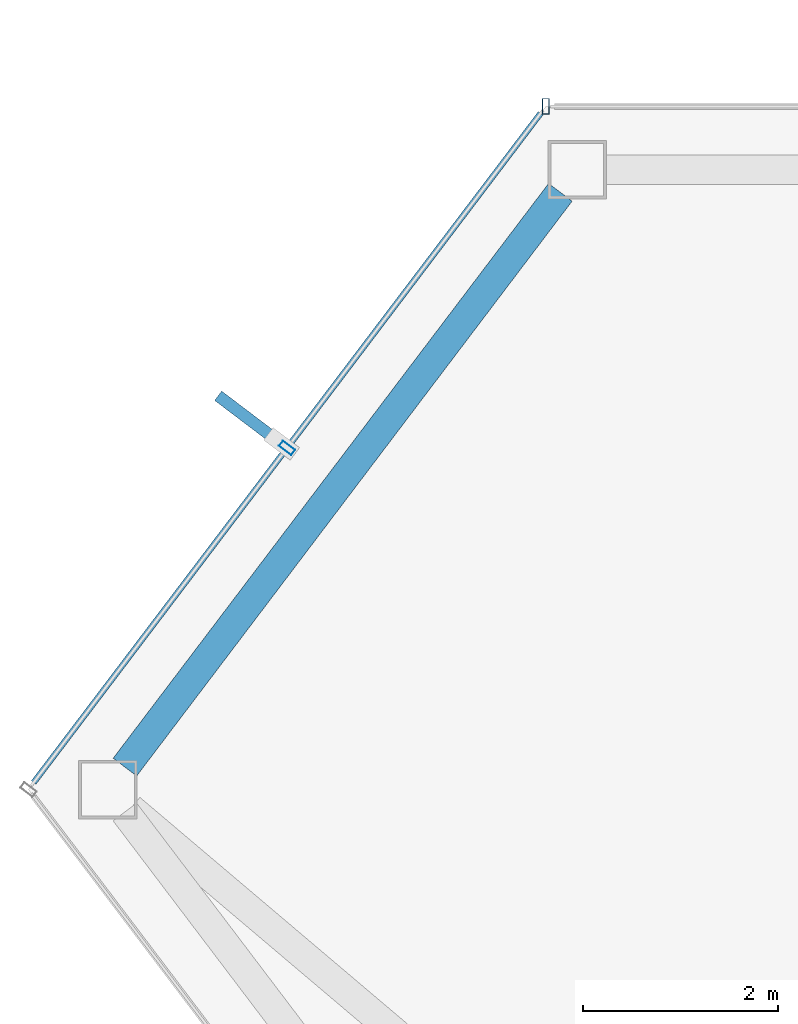
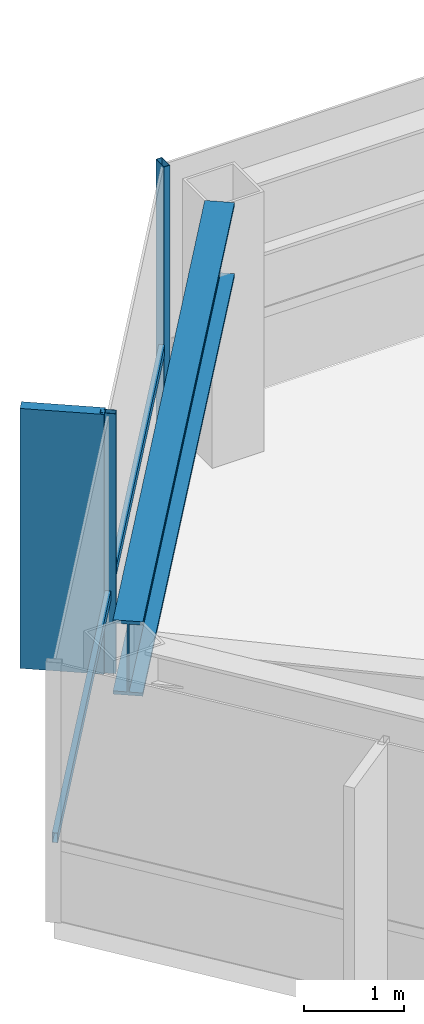
# One storey, part 12 of 27: 4 members, 1 beam, 2 elements without a shape of their own.
"""IFC4 building model written with IfcOpenShell, lengths in metres."""

from ifc_helpers import new_model, si_unit, direction, frame, origin, origin_2d, place, context, subcontext, project, spatial, rectangle, hollow_rectangle, i_section, extrude, material, layer, layer_set, material_profile, profile_set, type_object, element, aggregate, save


model = new_model("IFC4")

# Units and contexts
model_context = context("Model", 3, precision=1e-05, world=origin(), true_north=direction((0.0, 1.0)))
body_context = subcontext(model_context, "Body", "Model", "MODEL_VIEW")
ifc_project = project(units=[si_unit("LENGTHUNIT", "METRE"), si_unit("AREAUNIT", "SQUARE_METRE"), si_unit("VOLUMEUNIT", "CUBIC_METRE"), si_unit("PLANEANGLEUNIT", "RADIAN"), si_unit("MASSUNIT", "GRAM", prefix="KILO")], contexts=[model_context])

# Site, building, storey
site_placement = place(None, origin())
site = spatial("IfcSite", under=ifc_project, at=site_placement, CompositionType="ELEMENT")
building_placement = place(site_placement, origin())
building = spatial("IfcBuilding", under=site, at=building_placement, Name="Zarrinselat Tower", CompositionType="ELEMENT")
storey_placement = place(building_placement, frame((0.0, 0.0, 232.56005859375)))
storey = spatial("IfcBuildingStorey", under=building, at=storey_placement, Name="L58", CompositionType="ELEMENT", Elevation=232.56005859375)

# Beam
ifc_material_1 = material(Name="Steel S460M", Category="steel")
ifc_material_profile_1 = material_profile(ifc_material_1, i_section(OverallWidth=0.302001953125, OverallDepth=0.909912109375, WebThickness=0.02099609375, FlangeThickness=0.0400390625, at=origin_2d()), Name="HEM 900")
ifc_profile_set_1 = profile_set([ifc_material_profile_1], Name="Steel S460M")
beam_type = type_object("IfcBeamType", Name="BM-HEM900", PredefinedType="BEAM", material=ifc_profile_set_1)
beam_placement = place(storey_placement, frame((16.30078125, 41.4111328125, 2.724853515625), z_axis=(0.603848777662, 0.797098898328, 0.0), x_axis=(-0.797098898328, 0.603848777662, 0.0)))
element("IfcBeam", 1, at=beam_placement, inside=storey, type_object=beam_type, Name="L58 Perimeter Spandrel Girder SP05", PredefinedType="BEAM", context=body_context, shape_type="SweptSolid", body=[
    extrude(i_section(OverallWidth=0.302001953125, OverallDepth=0.909912109375, WebThickness=0.02099609375, FlangeThickness=0.0400390625, at=origin_2d()), origin(), (0.0, 0.0, 1.0), 7.385498046875),
])

# Curtain wall, member
ifc_material_2 = material(Name="Extruded Aluminium Alloy EN AW-6063 T6", Category="aluminium")
ifc_layer = layer(ifc_material_2, 0.169921875)
ifc_layer_set = layer_set([ifc_layer], Name="Extruded Aluminium Alloy EN AW-6063 T6")
curtain_wall_type = type_object("IfcCurtainWallType", Name="CWS-RES", PredefinedType="NOTDEFINED", material=ifc_layer_set)
curtain_wall_1_placement = place(storey_placement, origin())
curtain_wall_1 = element("IfcCurtainWall", 2, at=curtain_wall_1_placement, inside=storey, type_object=curtain_wall_type, Name="L58 Unitised Curtain Wall CW-L58-E01", PredefinedType="NOTDEFINED")
ifc_material_3 = material(Name="Extruded Aluminium Alloy EN AW-6063 T6", Category="aluminium")
ifc_material_profile_2 = material_profile(ifc_material_3, hollow_rectangle(XDim=0.070068359375, YDim=0.159912109375, WallThickness=0.00390625, at=origin_2d()), Name="RHS 160x70x4")
ifc_profile_set_2 = profile_set([ifc_material_profile_2], Name="Extruded Aluminium Alloy EN AW-6063 T6")
member_type_1 = type_object("IfcMemberType", Name="MEM-CW-MUL2", PredefinedType="MULLION", material=ifc_profile_set_2)
member_1_placement = place(storey_placement, frame((20.611572265625, 48.177734375, 0.0), z_axis=(0.0, 0.0, 1.0), x_axis=(-1.0, 0.0, 0.0)))
member_1 = element("IfcMember", 3, at=member_1_placement, type_object=member_type_1, Name="CW-L58-E01 Mullion 12", PredefinedType="MULLION", context=body_context, shape_type="SweptSolid", body=[
    extrude(hollow_rectangle(XDim=0.070068359375, YDim=0.159912109375, WallThickness=0.00390625, at=origin_2d()), origin(), (0.0, 0.0, 1.0), 3.179931640625),
])
aggregate(curtain_wall_1, [member_1])

# Curtain wall, members
curtain_wall_2_placement = place(storey_placement, origin())
curtain_wall_2 = element("IfcCurtainWall", 4, at=curtain_wall_2_placement, inside=storey, type_object=curtain_wall_type, Name="L58 Unitised Curtain Wall CW-L58-E02", PredefinedType="NOTDEFINED")
member_2_placement = place(storey_placement, frame((17.96142578125, 44.6796875, 0.0), z_axis=(0.0, 0.0, 1.0), x_axis=(-0.603855713814, -0.797093643742, 0.0)))
member_2 = element("IfcMember", 5, at=member_2_placement, type_object=member_type_1, Name="CW-L58-E02 Mullion 1", PredefinedType="MULLION", context=body_context, shape_type="SweptSolid", body=[
    extrude(hollow_rectangle(XDim=0.070068359375, YDim=0.159912109375, WallThickness=0.00390625, at=origin_2d()), origin(), (0.0, 0.0, 1.0), 3.179931640625),
])
ifc_material_4 = material(Name="Extruded Aluminium Alloy EN AW-6063 T6", Category="aluminium")
ifc_material_profile_3 = material_profile(ifc_material_4, hollow_rectangle(XDim=0.06005859375, YDim=0.1201171875, WallThickness=0.00390625, at=origin_2d()), Name="RHS 120x60x4")
ifc_profile_set_3 = profile_set([ifc_material_profile_3], Name="Extruded Aluminium Alloy EN AW-6063 T6")
member_type_2 = type_object("IfcMemberType", Name="MEM-CW-TRN2", PredefinedType="USERDEFINED", material=ifc_profile_set_3)
member_3_placement = place(storey_placement, frame((20.55712890625, 48.106201171875, 0.949951171875), z_axis=(-0.603854954358, -0.797094219084, 0.0), x_axis=(0.797094219084, -0.603854954358, 0.0)))
member_3 = element("IfcMember", 6, at=member_3_placement, type_object=member_type_2, Name="CW-L58-E02 Transom 1", ObjectType="TRANSOM", PredefinedType="USERDEFINED", context=body_context, shape_type="SweptSolid", body=[
    extrude(hollow_rectangle(XDim=0.06005859375, YDim=0.1201171875, WallThickness=0.00390625, at=origin_2d()), origin(), (0.0, 0.0, 1.0), 8.597412109375),
])
ifc_material_5 = material(Name="Honed Cream Travertine Stone", Category="masonry")
ifc_material_profile_4 = material_profile(ifc_material_5, rectangle(XDim=0.1201171875, YDim=0.85009765625, at=origin_2d()), Name="FIN 850x120")
ifc_profile_set_4 = profile_set([ifc_material_profile_4], Name="Honed Cream Travertine Stone")
member_type_3 = type_object("IfcMemberType", Name="MEM-STONE-FIN", PredefinedType="USERDEFINED", material=ifc_profile_set_4)
member_4_placement = place(storey_placement, frame((17.5947265625, 44.95751953125, 0.0), z_axis=(0.0, 0.0, 1.0), x_axis=(0.603855713814, 0.797093643742, 0.0)))
member_4 = element("IfcMember", 7, at=member_4_placement, type_object=member_type_3, Name="L58 Stone Shading Fin CW-L58-E02-01", ObjectType="FIN", PredefinedType="USERDEFINED", context=body_context, shape_type="SweptSolid", body=[
    extrude(rectangle(XDim=0.1201171875, YDim=0.85009765625, at=origin_2d()), origin(), (0.0, 0.0, 1.0), 3.179931640625),
])
aggregate(curtain_wall_2, [member_2, member_4, member_3])

save(model, "model.ifc")
